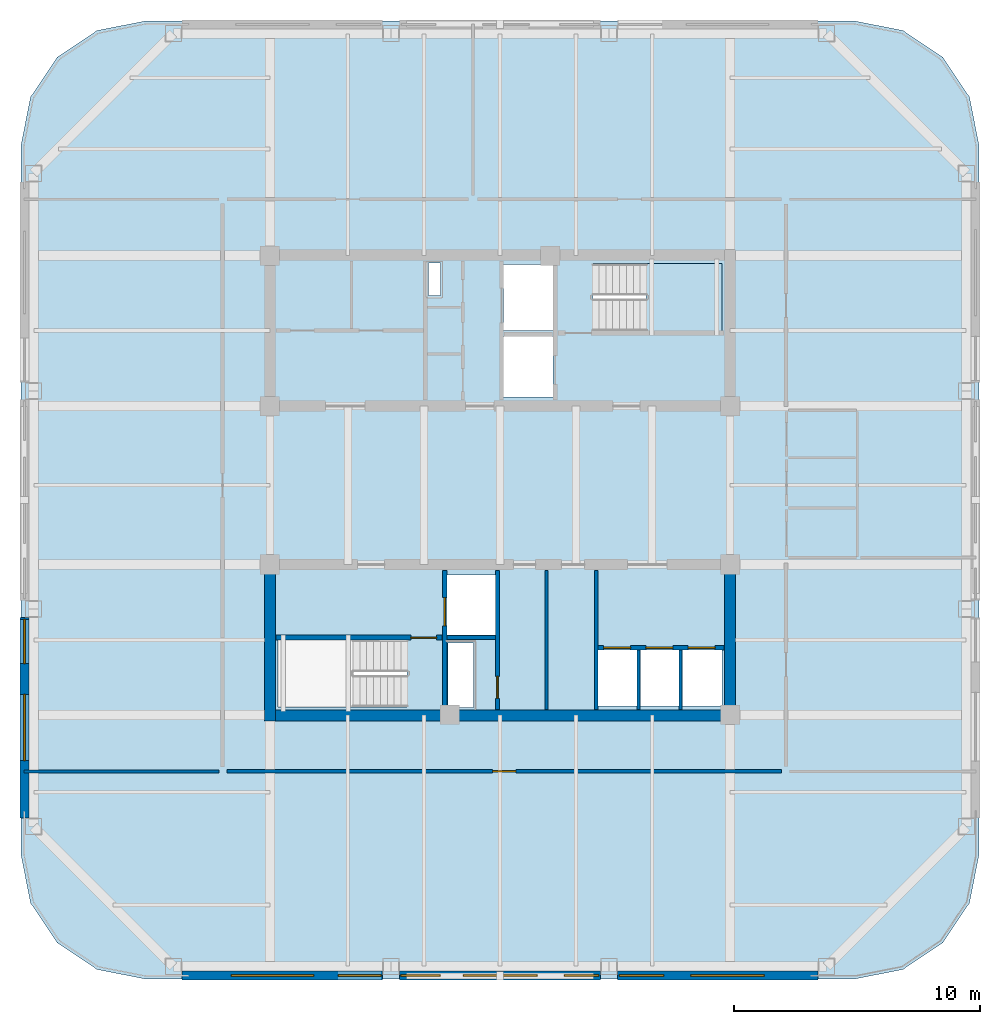
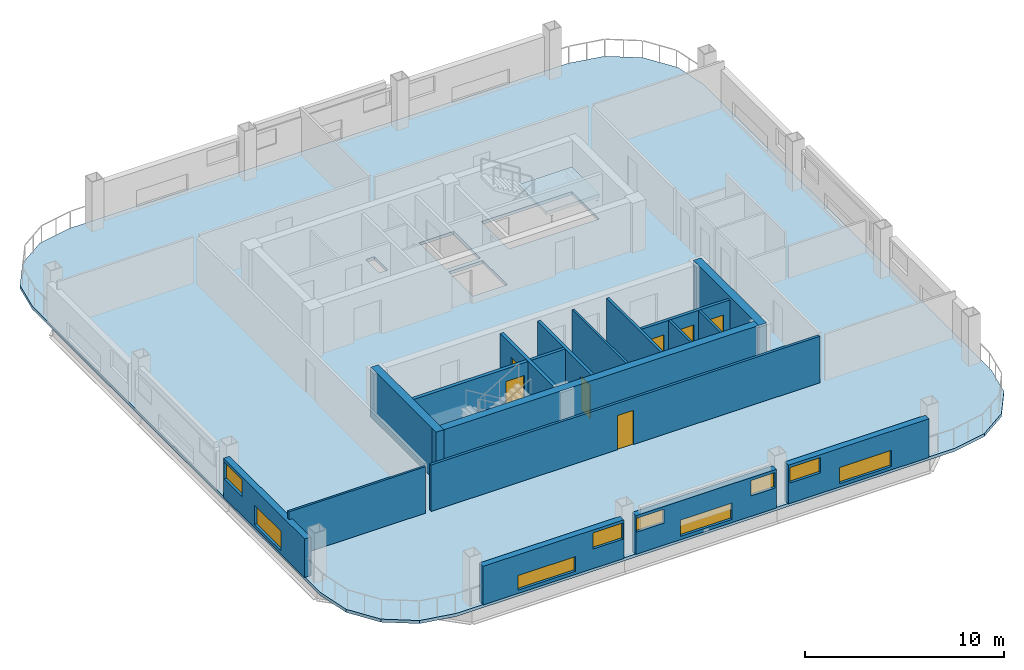
# One storey, part 2 of 8: 18 walls, 9 windows, 7 doors, 2 slabs, 16 openings, 1 element without a shape of its own.
"""IFC4 building model written with IfcOpenShell, lengths in metres."""

from ifc_helpers import new_model, si_unit, direction, frame, frame_2d, origin, place, context, subcontext, project, spatial, polyline, rectangle, outline, extrude, material, layer, layer_set, type_object, element, fill, aggregate, save


model = new_model("IFC4")

# Units and contexts
model_context = context("Model", 3, precision=1e-05, world=origin(), true_north=direction((0.0, 1.0)))
body_context = subcontext(model_context, "Body", "Model", "MODEL_VIEW")
ifc_project = project(units=[si_unit("LENGTHUNIT", "METRE"), si_unit("AREAUNIT", "SQUARE_METRE"), si_unit("VOLUMEUNIT", "CUBIC_METRE"), si_unit("PLANEANGLEUNIT", "RADIAN"), si_unit("MASSUNIT", "GRAM", prefix="KILO")], contexts=[model_context])

# Site, building, storey
site_placement = place(None, origin())
site = spatial("IfcSite", under=ifc_project, at=site_placement, CompositionType="ELEMENT")
building_placement = place(site_placement, origin())
building = spatial("IfcBuilding", under=site, at=building_placement, Name="Qhalaya Broadcast Tower", CompositionType="ELEMENT")
storey_placement = place(building_placement, frame((0.0, 0.0, 202.550048828125)))
storey = spatial("IfcBuildingStorey", under=building, at=storey_placement, Name="L59", CompositionType="ELEMENT", Elevation=202.550048828125)

# Stair, slab
ifc_material_1 = material(Name="Concrete C40/50", Category="concrete")
stair_type = type_object("IfcStairType", Name="Protected Dogleg Core Stair 3150", PredefinedType="TWO_STRAIGHT_RUN_STAIR", material=ifc_material_1)
stair_placement = place(storey_placement, origin())
stair = element("IfcStair", 1, at=stair_placement, inside=storey, type_object=stair_type, Name="L59 North Core Exit Stair ST-1", PredefinedType="TWO_STRAIGHT_RUN_STAIR")
ifc_layer_1 = layer(ifc_material_1, 0.199951171875, Name="Concrete C40/50")
ifc_layer_set_1 = layer_set([ifc_layer_1], Name="Concrete C40/50")
slab_type_1 = type_object("IfcSlabType", Name="Stair & Ramp Half-Landing Slab 200", PredefinedType="LANDING", material=ifc_layer_set_1)
slab_1_placement = place(storey_placement, frame((0.0, 0.0, 1.324951171875)))
slab_1 = element("IfcSlab", 2, at=slab_1_placement, type_object=slab_type_1, Name="ST-1 landing 1", PredefinedType="LANDING", context=body_context, shape_type="SweptSolid", body=[
    extrude(outline(polyline([(5.955078125, 6.8798828125), (9.050048828125, 6.8798828125), (9.050048828125, 9.639892578125), (5.955078125, 9.639892578125), (5.955078125, 6.8798828125)])), origin(), (0.0, 0.0, 1.0), 0.199951171875),
])
aggregate(stair, [slab_1])

# Slab
ifc_layer_2 = layer(ifc_material_1, 0.18994140625, Name="Concrete C40/50")
ifc_layer_set_2 = layer_set([ifc_layer_2], Name="Concrete C40/50")
slab_type_2 = type_object("IfcSlabType", Name="Upper Tower Composite Floor Slab 190", PredefinedType="FLOOR", material=ifc_layer_set_2)
slab_2_placement = place(storey_placement, frame((0.0, 0.0, -0.18994140625)))
element("IfcSlab", 3, at=slab_2_placement, inside=storey, type_object=slab_type_2, Name="L59 Main Structural Floor Slab", PredefinedType="FLOOR", context=body_context, shape_type="SweptSolid", body=[
    extrude(outline(polyline([(14.5, -19.5), (16.413330078125, -19.119384765625), (18.035400390625, -18.035400390625), (19.119384765625, -16.413330078125), (19.5, -14.5), (19.5, 14.5), (19.119384765625, 16.413330078125), (18.035400390625, 18.035400390625), (16.413330078125, 19.119384765625), (14.5, 19.5), (-14.5, 19.5), (-16.413330078125, 19.119384765625), (-18.035400390625, 18.035400390625), (-19.119384765625, 16.413330078125), (-19.5, 14.5), (-19.5, -14.5), (-19.119384765625, -16.413330078125), (-18.035400390625, -18.035400390625), (-16.413330078125, -19.119384765625), (-14.5, -19.5), (14.5, -19.5)]), holes=[polyline([(3.784912109375, 9.639892578125), (9.050048828125, 9.639892578125), (9.050048828125, 6.8798828125), (3.784912109375, 6.8798828125), (3.784912109375, 9.639892578125)]), polyline([(-3.784912109375, -8.43994140625), (-9.050048828125, -8.43994140625), (-9.050048828125, -5.679931640625), (-3.784912109375, -5.679931640625), (-3.784912109375, -8.43994140625)]), polyline([(0.14990234375, 6.64990234375), (2.14990234375, 6.64990234375), (2.14990234375, 4.199951171875), (0.14990234375, 4.199951171875), (0.14990234375, 6.64990234375)]), polyline([(0.14990234375, 9.60009765625), (2.14990234375, 9.60009765625), (2.14990234375, 6.89990234375), (0.14990234375, 6.89990234375), (0.14990234375, 9.60009765625)]), polyline([(-2.14990234375, -3.050048828125), (-0.14990234375, -3.050048828125), (-0.14990234375, -5.5), (-2.14990234375, -5.5), (-2.14990234375, -3.050048828125)]), polyline([(4.0, -6.10009765625), (5.60009765625, -6.10009765625), (5.60009765625, -8.39990234375), (4.0, -8.39990234375), (4.0, -6.10009765625)]), polyline([(5.719970703125, -6.10009765625), (7.320068359375, -6.10009765625), (7.320068359375, -8.39990234375), (5.719970703125, -8.39990234375), (5.719970703125, -6.10009765625)]), polyline([(7.43994140625, -6.10009765625), (9.0400390625, -6.10009765625), (9.0400390625, -8.39990234375), (7.43994140625, -8.39990234375), (7.43994140625, -6.10009765625)]), polyline([(-2.919921875, 9.659912109375), (-2.419921875, 9.659912109375), (-2.419921875, 8.320068359375), (-2.919921875, 8.320068359375), (-2.919921875, 9.659912109375)]), polyline([(-2.1201171875, -5.820068359375), (-1.080078125, -5.820068359375), (-1.080078125, -8.4599609375), (-2.1201171875, -8.4599609375), (-2.1201171875, -5.820068359375)])]), origin(), (0.0, 0.0, 1.0), 0.18994140625),
])

# Wall
ifc_material_2 = material(Name="Gypsum Acoustic Partition")
ifc_layer_3 = layer(ifc_material_2, 0.14990234375, Name="Gypsum Acoustic Partition")
ifc_layer_set_3 = layer_set([ifc_layer_3], Name="Gypsum Acoustic Partition")
wall_type_1 = type_object("IfcWallType", Name="Corridor & Tenancy Acoustic Partition 150", PredefinedType="PARTITIONING", material=ifc_layer_set_3)
wall_1_placement = place(storey_placement, frame((3.919921875, -8.530029296875, 0.0), z_axis=(0.0, 0.0, 1.0), x_axis=(0.0, 1.0, 0.0)))
element("IfcWall", 4, at=wall_1_placement, inside=storey, type_object=wall_type_1, Name="L59 Partition Wall SCW-HSEP", PredefinedType="PARTITIONING", context=body_context, shape_type="SweptSolid", body=[
    extrude(rectangle(XDim=5.659912109375, YDim=0.14990234375, at=frame_2d((2.830078125, 0.0))), origin(), (0.0, 0.0, 1.0), 2.85986328125),
])

# Wall, opening, door
wall_2_placement = place(storey_placement, frame((-11.1201171875, -11.050048828125, 0.0), z_axis=(0.0, 0.0, 1.0), x_axis=(1.0, 0.0, 0.0)))
wall_2 = element("IfcWall", 5, at=wall_2_placement, inside=storey, type_object=wall_type_1, Name="L59 Partition Wall W-COR-03", PredefinedType="PARTITIONING", context=body_context, shape_type="SweptSolid", body=[
    extrude(rectangle(XDim=22.590087890625, YDim=0.14990234375, at=frame_2d((11.294921875, 0.0))), origin(), (0.0, 0.0, 1.0), 2.85986328125),
])
opening_1_placement = place(wall_2_placement, frame((10.820068359375, 0.0, 0.0)))
opening_1 = element("IfcOpeningElement", 6, at=opening_1_placement, cuts=wall_2, Name="Opening D10", PredefinedType="OPENING", context=body_context, shape_type="SweptSolid", body=[
    extrude(rectangle(XDim=0.949951171875, YDim=2.10009765625, at=frame_2d((0.47509765625, 1.050048828125))), frame((0.0, 0.0869140625, 0.0), z_axis=(0.0, -1.0, 0.0), x_axis=(1.0, 0.0, 0.0)), (0.0, 0.0, 1.0), 0.173828125),
])
ifc_material_3 = material(Name="Timber Veneer Acoustic Door", Category="wood")
door_type_1 = type_object("IfcDoorType", Name="Cellular Office & Edit Booth Door D10", OperationType="NOTDEFINED", PredefinedType="DOOR", material=ifc_material_3)
door_1_placement = place(opening_1_placement, origin())
door_1 = element("IfcDoor", 7, at=door_1_placement, inside=storey, type_object=door_type_1, Name="L59 Door D-RM03", OperationType="SINGLE_SWING_LEFT", OverallHeight=2.10009765625, OverallWidth=0.949951171875, PredefinedType="DOOR", context=body_context, shape_type="SweptSolid", body=[
    extrude(rectangle(XDim=0.949951171875, YDim=2.10009765625, at=frame_2d((0.47509765625, 1.050048828125))), frame((0.0, 0.02490234375, 0.0), z_axis=(0.0, -1.0, 0.0), x_axis=(1.0, 0.0, 0.0)), (0.0, 0.0, 1.0), 0.050048828125),
])
fill(opening_1, door_1)

# Wall, openings, windows
ifc_material_4 = material(Name="Precast Concrete C40/50", Category="concrete")
ifc_layer_4 = layer(ifc_material_4, 0.360107421875, Name="Precast Concrete C40/50")
ifc_layer_set_4 = layer_set([ifc_layer_4], Name="Precast Concrete C40/50")
wall_type_2 = type_object("IfcWallType", Name="Insulated Precast Terracotta Exterior Wall 360", PredefinedType="SOLIDWALL", material=ifc_layer_set_4)
wall_3_placement = place(storey_placement, frame((12.9619140625, -19.360107421875, 0.0), z_axis=(0.0, 0.0, 1.0), x_axis=(-1.0, 0.0, 0.0)))
wall_3 = element("IfcWall", 8, at=wall_3_placement, inside=storey, type_object=wall_type_2, Name="L59 Exoskeleton Diagrid Infill Wall S1", PredefinedType="SOLIDWALL", context=body_context, shape_type="SweptSolid", body=[
    extrude(rectangle(XDim=8.1787109375, YDim=0.360107421875, at=frame_2d((4.08935546875, 0.0))), origin(), (0.0, 0.0, 1.0), 2.3740234375),
])
opening_2_placement = place(wall_3_placement, frame((2.199951171875, 0.0, 0.199951171875)))
opening_2 = element("IfcOpeningElement", 9, at=opening_2_placement, cuts=wall_3, Name="Opening W13", PredefinedType="OPENING", context=body_context, shape_type="SweptSolid", body=[
    extrude(rectangle(XDim=3.0, YDim=1.0, at=frame_2d((1.5, 0.5))), frame((0.0, 0.192138671875, 0.0), z_axis=(0.0, -1.0, 0.0), x_axis=(1.0, 0.0, 0.0)), (0.0, 0.0, 1.0), 0.384033203125),
])
opening_3_placement = place(wall_3_placement, frame((6.300048828125, 0.0, 1.25)))
opening_3 = element("IfcOpeningElement", 10, at=opening_3_placement, cuts=wall_3, Name="Opening W13", PredefinedType="OPENING", context=body_context, shape_type="SweptSolid", body=[
    extrude(rectangle(XDim=1.800048828125, YDim=0.949951171875, at=frame_2d((0.89990234375, 0.47509765625))), frame((0.0, 0.192138671875, 0.0), z_axis=(0.0, -1.0, 0.0), x_axis=(1.0, 0.0, 0.0)), (0.0, 0.0, 1.0), 0.384033203125),
])
ifc_material_5 = material(Name="Solar-Control Low-E Triple Glazing", Category="glass")
window_type = type_object("IfcWindowType", Name="Upper-Block Diagrid Infill Window W13", PartitioningType="SINGLE_PANEL", PredefinedType="WINDOW", material=ifc_material_5)
window_1_placement = place(opening_2_placement, origin())
window_1 = element("IfcWindow", 11, at=window_1_placement, inside=storey, type_object=window_type, Name="L59 Diagrid Infill Window W13-S1", OverallHeight=1.0, OverallWidth=3.0, PartitioningType="SINGLE_PANEL", PredefinedType="WINDOW", context=body_context, shape_type="SweptSolid", body=[
    extrude(rectangle(XDim=3.0, YDim=1.0, at=frame_2d((1.5, 0.5))), frame((0.0, 0.030029296875, 0.0), z_axis=(0.0, -1.0, 0.0), x_axis=(1.0, 0.0, 0.0)), (0.0, 0.0, 1.0), 0.06005859375),
])
fill(opening_2, window_1)
window_2_placement = place(opening_3_placement, origin())
window_2 = element("IfcWindow", 12, at=window_2_placement, inside=storey, type_object=window_type, Name="L59 Diagrid Infill Window W13-S2", OverallHeight=0.949951171875, OverallWidth=1.800048828125, PartitioningType="SINGLE_PANEL", PredefinedType="WINDOW", context=body_context, shape_type="SweptSolid", body=[
    extrude(rectangle(XDim=1.800048828125, YDim=0.949951171875, at=frame_2d((0.89990234375, 0.47509765625))), frame((0.0, 0.030029296875, 0.0), z_axis=(0.0, -1.0, 0.0), x_axis=(1.0, 0.0, 0.0)), (0.0, 0.0, 1.0), 0.06005859375),
])
fill(opening_3, window_2)

wall_4_placement = place(storey_placement, frame((4.083251953125, -19.360107421875, 0.0), z_axis=(0.0, 0.0, 1.0), x_axis=(-1.0, 0.0, 0.0)))
wall_4 = element("IfcWall", 13, at=wall_4_placement, inside=storey, type_object=wall_type_2, Name="L59 Exoskeleton Diagrid Infill Wall S2", PredefinedType="SOLIDWALL", context=body_context, shape_type="SweptSolid", body=[
    extrude(rectangle(XDim=8.16650390625, YDim=0.360107421875, at=frame_2d((4.083251953125, 0.0))), origin(), (0.0, 0.0, 1.0), 2.3740234375),
])
opening_4_placement = place(wall_4_placement, frame((0.071044921875, 0.0, 1.25)))
opening_4 = element("IfcOpeningElement", 14, at=opening_4_placement, cuts=wall_4, Name="Opening W13", PredefinedType="OPENING", context=body_context, shape_type="SweptSolid", body=[
    extrude(rectangle(XDim=1.39990234375, YDim=0.949951171875, at=frame_2d((0.699951171875, 0.47509765625))), frame((0.0, 0.192138671875, 0.0), z_axis=(0.0, -1.0, 0.0), x_axis=(1.0, 0.0, 0.0)), (0.0, 0.0, 1.0), 0.384033203125),
])
opening_5_placement = place(wall_4_placement, frame((2.571044921875, 0.0, 0.199951171875)))
opening_5 = element("IfcOpeningElement", 15, at=opening_5_placement, cuts=wall_4, Name="Opening W13", PredefinedType="OPENING", context=body_context, shape_type="SweptSolid", body=[
    extrude(rectangle(XDim=3.0, YDim=1.0, at=frame_2d((1.5, 0.5))), frame((0.0, 0.192138671875, 0.0), z_axis=(0.0, -1.0, 0.0), x_axis=(1.0, 0.0, 0.0)), (0.0, 0.0, 1.0), 0.384033203125),
])
opening_6_placement = place(wall_4_placement, frame((6.52099609375, 0.0, 1.35009765625)))
opening_6 = element("IfcOpeningElement", 16, at=opening_6_placement, cuts=wall_4, Name="Opening W13", PredefinedType="OPENING", context=body_context, shape_type="SweptSolid", body=[
    extrude(rectangle(XDim=1.60009765625, YDim=0.85009765625, at=frame_2d((0.800048828125, 0.425048828125))), frame((0.0, 0.192138671875, 0.0), z_axis=(0.0, -1.0, 0.0), x_axis=(1.0, 0.0, 0.0)), (0.0, 0.0, 1.0), 0.384033203125),
])
window_3_placement = place(opening_4_placement, origin())
window_3 = element("IfcWindow", 17, at=window_3_placement, inside=storey, type_object=window_type, Name="L59 Diagrid Infill Window W13-S3", OverallHeight=0.949951171875, OverallWidth=1.39990234375, PartitioningType="SINGLE_PANEL", PredefinedType="WINDOW", context=body_context, shape_type="SweptSolid", body=[
    extrude(rectangle(XDim=1.39990234375, YDim=0.949951171875, at=frame_2d((0.699951171875, 0.47509765625))), frame((0.0, 0.030029296875, 0.0), z_axis=(0.0, -1.0, 0.0), x_axis=(1.0, 0.0, 0.0)), (0.0, 0.0, 1.0), 0.06005859375),
])
fill(opening_4, window_3)
window_4_placement = place(opening_5_placement, origin())
window_4 = element("IfcWindow", 18, at=window_4_placement, inside=storey, type_object=window_type, Name="L59 Diagrid Infill Window W13-S4", OverallHeight=1.0, OverallWidth=3.0, PartitioningType="SINGLE_PANEL", PredefinedType="WINDOW", context=body_context, shape_type="SweptSolid", body=[
    extrude(rectangle(XDim=3.0, YDim=1.0, at=frame_2d((1.5, 0.5))), frame((0.0, 0.030029296875, 0.0), z_axis=(0.0, -1.0, 0.0), x_axis=(1.0, 0.0, 0.0)), (0.0, 0.0, 1.0), 0.06005859375),
])
fill(opening_5, window_4)
window_5_placement = place(opening_6_placement, origin())
window_5 = element("IfcWindow", 19, at=window_5_placement, inside=storey, type_object=window_type, Name="L59 Diagrid Infill Window W13-S5", OverallHeight=0.85009765625, OverallWidth=1.60009765625, PartitioningType="SINGLE_PANEL", PredefinedType="WINDOW", context=body_context, shape_type="SweptSolid", body=[
    extrude(rectangle(XDim=1.60009765625, YDim=0.85009765625, at=frame_2d((0.800048828125, 0.425048828125))), frame((0.0, 0.030029296875, 0.0), z_axis=(0.0, -1.0, 0.0), x_axis=(1.0, 0.0, 0.0)), (0.0, 0.0, 1.0), 0.06005859375),
])
fill(opening_6, window_5)

wall_5_placement = place(storey_placement, frame((-4.783203125, -19.360107421875, 0.0), z_axis=(0.0, 0.0, 1.0), x_axis=(-1.0, 0.0, 0.0)))
wall_5 = element("IfcWall", 20, at=wall_5_placement, inside=storey, type_object=wall_type_2, Name="L59 Exoskeleton Diagrid Infill Wall S3", PredefinedType="SOLIDWALL", context=body_context, shape_type="SweptSolid", body=[
    extrude(rectangle(XDim=8.1787109375, YDim=0.360107421875, at=frame_2d((4.08935546875, 0.0))), origin(), (0.0, 0.0, 1.0), 2.3740234375),
])
opening_7_placement = place(wall_5_placement, frame((0.054931640625, 0.0, 1.199951171875)))
opening_7 = element("IfcOpeningElement", 21, at=opening_7_placement, cuts=wall_5, Name="Opening W13", PredefinedType="OPENING", context=body_context, shape_type="SweptSolid", body=[
    extrude(rectangle(XDim=1.75, YDim=1.0, at=frame_2d((0.875, 0.5))), frame((0.0, 0.192138671875, 0.0), z_axis=(0.0, -1.0, 0.0), x_axis=(1.0, 0.0, 0.0)), (0.0, 0.0, 1.0), 0.384033203125),
])
opening_8_placement = place(wall_5_placement, frame((2.804931640625, 0.0, 0.199951171875)))
opening_8 = element("IfcOpeningElement", 22, at=opening_8_placement, cuts=wall_5, Name="Opening W13", PredefinedType="OPENING", context=body_context, shape_type="SweptSolid", body=[
    extrude(rectangle(XDim=3.35009765625, YDim=0.89990234375, at=frame_2d((1.675048828125, 0.449951171875))), frame((0.0, 0.192138671875, 0.0), z_axis=(0.0, -1.0, 0.0), x_axis=(1.0, 0.0, 0.0)), (0.0, 0.0, 1.0), 0.384033203125),
])
window_6_placement = place(opening_7_placement, origin())
window_6 = element("IfcWindow", 23, at=window_6_placement, inside=storey, type_object=window_type, Name="L59 Diagrid Infill Window W13-S6", OverallHeight=1.0, OverallWidth=1.75, PartitioningType="SINGLE_PANEL", PredefinedType="WINDOW", context=body_context, shape_type="SweptSolid", body=[
    extrude(rectangle(XDim=1.75, YDim=1.0, at=frame_2d((0.875, 0.5))), frame((0.0, 0.030029296875, 0.0), z_axis=(0.0, -1.0, 0.0), x_axis=(1.0, 0.0, 0.0)), (0.0, 0.0, 1.0), 0.06005859375),
])
fill(opening_7, window_6)
window_7_placement = place(opening_8_placement, origin())
window_7 = element("IfcWindow", 24, at=window_7_placement, inside=storey, type_object=window_type, Name="L59 Diagrid Infill Window W13-S7", OverallHeight=0.89990234375, OverallWidth=3.35009765625, PartitioningType="SINGLE_PANEL", PredefinedType="WINDOW", context=body_context, shape_type="SweptSolid", body=[
    extrude(rectangle(XDim=3.35009765625, YDim=0.89990234375, at=frame_2d((1.675048828125, 0.449951171875))), frame((0.0, 0.030029296875, 0.0), z_axis=(0.0, -1.0, 0.0), x_axis=(1.0, 0.0, 0.0)), (0.0, 0.0, 1.0), 0.06005859375),
])
fill(opening_8, window_7)

wall_6_placement = place(storey_placement, frame((-19.360107421875, -12.9619140625, 0.0), z_axis=(0.0, 0.0, 1.0), x_axis=(0.0, 1.0, 0.0)))
wall_6 = element("IfcWall", 25, at=wall_6_placement, inside=storey, type_object=wall_type_2, Name="L59 Exoskeleton Diagrid Infill Wall W1", PredefinedType="SOLIDWALL", context=body_context, shape_type="SweptSolid", body=[
    extrude(rectangle(XDim=8.1787109375, YDim=0.360107421875, at=frame_2d((4.08935546875, 0.0))), origin(), (0.0, 0.0, 1.0), 2.3740234375),
])
opening_9_placement = place(wall_6_placement, frame((2.35009765625, 0.0, 0.199951171875)))
opening_9 = element("IfcOpeningElement", 26, at=opening_9_placement, cuts=wall_6, Name="Opening W13", PredefinedType="OPENING", context=body_context, shape_type="SweptSolid", body=[
    extrude(rectangle(XDim=2.699951171875, YDim=1.199951171875, at=frame_2d((1.35009765625, 0.60009765625))), frame((0.0, 0.192138671875, 0.0), z_axis=(0.0, -1.0, 0.0), x_axis=(1.0, 0.0, 0.0)), (0.0, 0.0, 1.0), 0.384033203125),
])
opening_10_placement = place(wall_6_placement, frame((6.300048828125, 0.0, 1.14990234375)))
opening_10 = element("IfcOpeningElement", 27, at=opening_10_placement, cuts=wall_6, Name="Opening W13", PredefinedType="OPENING", context=body_context, shape_type="SweptSolid", body=[
    extrude(rectangle(XDim=1.800048828125, YDim=1.050048828125, at=frame_2d((0.89990234375, 0.52490234375))), frame((0.0, 0.192138671875, 0.0), z_axis=(0.0, -1.0, 0.0), x_axis=(1.0, 0.0, 0.0)), (0.0, 0.0, 1.0), 0.384033203125),
])
window_8_placement = place(opening_9_placement, origin())
window_8 = element("IfcWindow", 28, at=window_8_placement, inside=storey, type_object=window_type, Name="L59 Diagrid Infill Window W13-W1", OverallHeight=1.199951171875, OverallWidth=2.699951171875, PartitioningType="SINGLE_PANEL", PredefinedType="WINDOW", context=body_context, shape_type="SweptSolid", body=[
    extrude(rectangle(XDim=2.699951171875, YDim=1.199951171875, at=frame_2d((1.35009765625, 0.60009765625))), frame((0.0, 0.030029296875, 0.0), z_axis=(0.0, -1.0, 0.0), x_axis=(1.0, 0.0, 0.0)), (0.0, 0.0, 1.0), 0.06005859375),
])
fill(opening_9, window_8)
window_9_placement = place(opening_10_placement, origin())
window_9 = element("IfcWindow", 29, at=window_9_placement, inside=storey, type_object=window_type, Name="L59 Diagrid Infill Window W13-W2", OverallHeight=1.050048828125, OverallWidth=1.800048828125, PartitioningType="SINGLE_PANEL", PredefinedType="WINDOW", context=body_context, shape_type="SweptSolid", body=[
    extrude(rectangle(XDim=1.800048828125, YDim=1.050048828125, at=frame_2d((0.89990234375, 0.52490234375))), frame((0.0, 0.030029296875, 0.0), z_axis=(0.0, -1.0, 0.0), x_axis=(1.0, 0.0, 0.0)), (0.0, 0.0, 1.0), 0.06005859375),
])
fill(opening_10, window_9)

# Wall, opening, door
ifc_material_6 = material(Name="Concrete C50/60", Category="concrete")
ifc_layer_5 = layer(ifc_material_6, 0.199951171875, Name="Concrete C50/60")
ifc_layer_set_5 = layer_set([ifc_layer_5], Name="Concrete C50/60")
wall_type_3 = type_object("IfcWallType", Name="Load-Bearing Stair Shaft Wall 200", PredefinedType="SHEAR", material=ifc_layer_set_5)
wall_7_placement = place(storey_placement, frame((-9.1298828125, -5.60498046875, 0.0), z_axis=(0.0, 0.0, 1.0), x_axis=(1.0, 0.0, 0.0)))
wall_7 = element("IfcWall", 30, at=wall_7_placement, inside=storey, type_object=wall_type_3, Name="L59 Stair Core Shear Wall SCW-ST2", PredefinedType="SHEAR", context=body_context, shape_type="SweptSolid", body=[
    extrude(rectangle(XDim=6.769775390625, YDim=0.199951171875, at=frame_2d((3.384765625, 0.0))), origin(), (0.0, 0.0, 1.0), 2.85986328125),
])
opening_11_placement = place(wall_7_placement, frame((5.5, 0.0, 0.0)))
opening_11 = element("IfcOpeningElement", 31, at=opening_11_placement, cuts=wall_7, Name="Opening D03", PredefinedType="OPENING", context=body_context, shape_type="SweptSolid", body=[
    extrude(rectangle(XDim=1.050048828125, YDim=2.080078125, at=frame_2d((0.52490234375, 1.0400390625))), frame((0.0, 0.112060546875, 0.0), z_axis=(0.0, -1.0, 0.0), x_axis=(1.0, 0.0, 0.0)), (0.0, 0.0, 1.0), 0.223876953125),
])
ifc_material_7 = material(Name="Fire-Rated Steel Door", Category="steel")
door_type_2 = type_object("IfcDoorType", Name="Core Stair Protected Fire Door D03", OperationType="NOTDEFINED", PredefinedType="DOOR", material=ifc_material_7)
door_2_placement = place(opening_11_placement, origin())
door_2 = element("IfcDoor", 32, at=door_2_placement, inside=storey, type_object=door_type_2, Name="L59 Door D-SST2", OperationType="SINGLE_SWING_RIGHT", OverallHeight=2.080078125, OverallWidth=1.050048828125, PredefinedType="DOOR", context=body_context, shape_type="SweptSolid", body=[
    extrude(rectangle(XDim=1.050048828125, YDim=2.080078125, at=frame_2d((0.52490234375, 1.0400390625))), frame((0.0, 0.02490234375, 0.0), z_axis=(0.0, -1.0, 0.0), x_axis=(1.0, 0.0, 0.0)), (0.0, 0.0, 1.0), 0.050048828125),
])
fill(opening_11, door_2)

wall_8_placement = place(storey_placement, frame((-2.25, -8.530029296875, 0.0), z_axis=(0.0, 0.0, 1.0), x_axis=(0.0, 1.0, 0.0)))
wall_8 = element("IfcWall", 33, at=wall_8_placement, inside=storey, type_object=wall_type_3, Name="L59 Stair Core Shear Wall SCW-FF", PredefinedType="SHEAR", context=body_context, shape_type="SweptSolid", body=[
    extrude(rectangle(XDim=5.659912109375, YDim=0.199951171875, at=frame_2d((2.830078125, 0.0))), origin(), (0.0, 0.0, 1.0), 2.85986328125),
])
opening_12_placement = place(wall_8_placement, frame((3.39990234375, 0.0, 0.0)))
opening_12 = element("IfcOpeningElement", 34, at=opening_12_placement, cuts=wall_8, Name="Opening LD2", PredefinedType="OPENING", context=body_context, shape_type="SweptSolid", body=[
    extrude(rectangle(XDim=1.14990234375, YDim=2.080078125, at=frame_2d((0.574951171875, 1.0400390625))), frame((0.0, 0.112060546875, 0.0), z_axis=(0.0, -1.0, 0.0), x_axis=(1.0, 0.0, 0.0)), (0.0, 0.0, 1.0), 0.223876953125),
])
ifc_material_8 = material(Name="Brushed Stainless Steel Lift Door", Category="steel")
door_type_3 = type_object("IfcDoorType", Name="Firefighting Lift Sliding Landing Door LD2", OperationType="DOUBLE_DOOR_SLIDING", PredefinedType="DOOR", material=ifc_material_8)
door_3_placement = place(opening_12_placement, origin())
door_3 = element("IfcDoor", 35, at=door_3_placement, inside=storey, type_object=door_type_3, Name="L59 Door LD-FF2", OperationType="DOUBLE_DOOR_SLIDING", OverallHeight=2.080078125, OverallWidth=1.14990234375, PredefinedType="DOOR", context=body_context, shape_type="SweptSolid", body=[
    extrude(rectangle(XDim=1.14990234375, YDim=2.080078125, at=frame_2d((0.574951171875, 1.0400390625))), frame((0.0, 0.02490234375, 0.0), z_axis=(0.0, -1.0, 0.0), x_axis=(1.0, 0.0, 0.0)), (0.0, 0.0, 1.0), 0.050048828125),
])
fill(opening_12, door_3)

# Walls
ifc_layer_6 = layer(ifc_material_2, 0.1201171875, Name="Gypsum Acoustic Partition")
ifc_layer_set_6 = layer_set([ifc_layer_6], Name="Gypsum Acoustic Partition")
wall_type_4 = type_object("IfcWallType", Name="Office, Booth & Sanitary Partition 120", PredefinedType="PARTITIONING", material=ifc_layer_set_6)
wall_9_placement = place(storey_placement, frame((1.89990234375, -8.530029296875, 0.0), z_axis=(0.0, 0.0, 1.0), x_axis=(0.0, 1.0, 0.0)))
element("IfcWall", 36, at=wall_9_placement, inside=storey, type_object=wall_type_4, Name="L59 Partition Wall SCW-RKB", PredefinedType="PARTITIONING", context=body_context, shape_type="SweptSolid", body=[
    extrude(rectangle(XDim=5.659912109375, YDim=0.1201171875, at=frame_2d((2.830078125, 0.0))), origin(), (0.0, 0.0, 1.0), 2.85986328125),
])
for number, where, z_axis, x_axis, name in (
    (37, (5.639892578125, -8.530029296875, 0.0), (0.0, 0.0, 1.0), (0.0, 1.0, 0.0), "L59 Partition Wall SCW-HD6"),
    (38, (7.360107421875, -8.530029296875, 0.0), (0.0, 0.0, 1.0), (0.0, 1.0, 0.0), "L59 Partition Wall SCW-HD7"),
):
    element("IfcWall", number, at=place(storey_placement, frame(where, z_axis=z_axis, x_axis=x_axis)), inside=storey, type_object=wall_type_4, Name=name, PredefinedType="PARTITIONING", context=body_context, shape_type="SweptSolid", body=[
        extrude(rectangle(XDim=2.429931640625, YDim=0.1201171875, at=frame_2d((1.21484375, 0.0))), origin(), (0.0, 0.0, 1.0), 2.85986328125),
    ])
wall_10_placement = place(storey_placement, frame((-19.3798828125, -11.050048828125, 0.0), z_axis=(0.0, 0.0, 1.0), x_axis=(1.0, 0.0, 0.0)))
element("IfcWall", 39, at=wall_10_placement, inside=storey, type_object=wall_type_4, Name="L59 Partition Wall W-BNDW2", PredefinedType="PARTITIONING", context=body_context, shape_type="SweptSolid", body=[
    extrude(rectangle(XDim=7.93994140625, YDim=0.1201171875, at=frame_2d((3.969970703125, 0.0))), origin(), (0.0, 0.0, 1.0), 2.85986328125),
])

# Wall, opening, door
ifc_layer_7 = layer(ifc_material_2, 0.175048828125, Name="Gypsum Acoustic Partition")
ifc_layer_set_7 = layer_set([ifc_layer_7], Name="Gypsum Acoustic Partition")
wall_type_5 = type_object("IfcWallType", Name="Shaft & Riser Fire Partition 175", PredefinedType="PARTITIONING", material=ifc_layer_set_7)
wall_11_placement = place(storey_placement, frame((-0.10009765625, -8.530029296875, 0.0), z_axis=(0.0, 0.0, 1.0), x_axis=(0.0, 1.0, 0.0)))
wall_11 = element("IfcWall", 40, at=wall_11_placement, inside=storey, type_object=wall_type_5, Name="L59 Partition Wall SCW-FFE", PredefinedType="PARTITIONING", context=body_context, shape_type="SweptSolid", body=[
    extrude(rectangle(XDim=5.659912109375, YDim=0.175048828125, at=frame_2d((2.830078125, 0.0))), origin(), (0.0, 0.0, 1.0), 2.85986328125),
])
opening_13_placement = place(wall_11_placement, frame((0.449951171875, 0.0, 0.0)))
opening_13 = element("IfcOpeningElement", 41, at=opening_13_placement, cuts=wall_11, Name="Opening D06", PredefinedType="OPENING", context=body_context, shape_type="SweptSolid", body=[
    extrude(rectangle(XDim=0.89990234375, YDim=2.050048828125, at=frame_2d((0.449951171875, 1.02490234375))), frame((0.0, 0.099609375, 0.0), z_axis=(0.0, -1.0, 0.0), x_axis=(1.0, 0.0, 0.0)), (0.0, 0.0, 1.0), 0.198974609375),
])
door_type_4 = type_object("IfcDoorType", Name="Riser & Electrical Shaft Access Door D06", OperationType="NOTDEFINED", PredefinedType="DOOR", material=ifc_material_7)
door_4_placement = place(opening_13_placement, origin())
door_4 = element("IfcDoor", 42, at=door_4_placement, inside=storey, type_object=door_type_4, Name="L59 Riser Shaft Access Door D-SRSR", OperationType="SINGLE_SWING_LEFT", OverallHeight=2.050048828125, OverallWidth=0.89990234375, PredefinedType="DOOR", context=body_context, shape_type="SweptSolid", body=[
    extrude(rectangle(XDim=0.89990234375, YDim=2.050048828125, at=frame_2d((0.449951171875, 1.02490234375))), frame((0.0, 0.02490234375, 0.0), z_axis=(0.0, -1.0, 0.0), x_axis=(1.0, 0.0, 0.0)), (0.0, 0.0, 1.0), 0.050048828125),
])
fill(opening_13, door_4)

# Wall
wall_12_placement = place(storey_placement, frame((-2.14990234375, -5.60009765625, 0.0), z_axis=(0.0, 0.0, 1.0), x_axis=(1.0, 0.0, 0.0)))
element("IfcWall", 43, at=wall_12_placement, inside=storey, type_object=wall_type_5, Name="L59 Partition Wall SCW-FFM", PredefinedType="PARTITIONING", context=body_context, shape_type="SweptSolid", body=[
    extrude(rectangle(XDim=1.969970703125, YDim=0.175048828125, at=frame_2d((0.98486328125, 0.0))), origin(), (0.0, 0.0, 1.0), 2.85986328125),
])

# Wall, openings, doors
wall_13_placement = place(storey_placement, frame((4.0, -6.02001953125, 0.0), z_axis=(0.0, 0.0, 1.0), x_axis=(1.0, 0.0, 0.0)))
wall_13 = element("IfcWall", 44, at=wall_13_placement, inside=storey, type_object=wall_type_5, Name="L59 Partition Wall SCW-SLB", PredefinedType="PARTITIONING", context=body_context, shape_type="SweptSolid", body=[
    extrude(rectangle(XDim=5.1298828125, YDim=0.175048828125, at=frame_2d((2.56494140625, 0.0))), origin(), (0.0, 0.0, 1.0), 2.85986328125),
])
opening_14_placement = place(wall_13_placement, frame((0.219970703125, 0.0, 0.0)))
opening_14 = element("IfcOpeningElement", 45, at=opening_14_placement, cuts=wall_13, Name="Opening LD1", PredefinedType="OPENING", context=body_context, shape_type="SweptSolid", body=[
    extrude(rectangle(XDim=1.10009765625, YDim=2.06005859375, at=frame_2d((0.550048828125, 1.030029296875))), frame((0.0, 0.099609375, 0.0), z_axis=(0.0, -1.0, 0.0), x_axis=(1.0, 0.0, 0.0)), (0.0, 0.0, 1.0), 0.198974609375),
])
opening_15_placement = place(wall_13_placement, frame((1.93994140625, 0.0, 0.0)))
opening_15 = element("IfcOpeningElement", 46, at=opening_15_placement, cuts=wall_13, Name="Opening LD1", PredefinedType="OPENING", context=body_context, shape_type="SweptSolid", body=[
    extrude(rectangle(XDim=1.10009765625, YDim=2.06005859375, at=frame_2d((0.550048828125, 1.030029296875))), frame((0.0, 0.099609375, 0.0), z_axis=(0.0, -1.0, 0.0), x_axis=(1.0, 0.0, 0.0)), (0.0, 0.0, 1.0), 0.198974609375),
])
opening_16_placement = place(wall_13_placement, frame((3.659912109375, 0.0, 0.0)))
opening_16 = element("IfcOpeningElement", 47, at=opening_16_placement, cuts=wall_13, Name="Opening LD1", PredefinedType="OPENING", context=body_context, shape_type="SweptSolid", body=[
    extrude(rectangle(XDim=1.10009765625, YDim=2.06005859375, at=frame_2d((0.550048828125, 1.030029296875))), frame((0.0, 0.099609375, 0.0), z_axis=(0.0, -1.0, 0.0), x_axis=(1.0, 0.0, 0.0)), (0.0, 0.0, 1.0), 0.198974609375),
])
door_type_5 = type_object("IfcDoorType", Name="Passenger Lift Sliding Landing Door LD1", OperationType="DOUBLE_DOOR_SLIDING", PredefinedType="DOOR", material=ifc_material_8)
door_5_placement = place(opening_14_placement, origin())
door_5 = element("IfcDoor", 48, at=door_5_placement, inside=storey, type_object=door_type_5, Name="L59 Door LD-P6", OperationType="DOUBLE_DOOR_SLIDING", OverallHeight=2.06005859375, OverallWidth=1.10009765625, PredefinedType="DOOR", context=body_context, shape_type="SweptSolid", body=[
    extrude(rectangle(XDim=1.10009765625, YDim=2.06005859375, at=frame_2d((0.550048828125, 1.030029296875))), frame((0.0, 0.02490234375, 0.0), z_axis=(0.0, -1.0, 0.0), x_axis=(1.0, 0.0, 0.0)), (0.0, 0.0, 1.0), 0.050048828125),
])
fill(opening_14, door_5)
door_6_placement = place(opening_15_placement, origin())
door_6 = element("IfcDoor", 49, at=door_6_placement, inside=storey, type_object=door_type_5, Name="L59 Door LD-P7", OperationType="DOUBLE_DOOR_SLIDING", OverallHeight=2.06005859375, OverallWidth=1.10009765625, PredefinedType="DOOR", context=body_context, shape_type="SweptSolid", body=[
    extrude(rectangle(XDim=1.10009765625, YDim=2.06005859375, at=frame_2d((0.550048828125, 1.030029296875))), frame((0.0, 0.02490234375, 0.0), z_axis=(0.0, -1.0, 0.0), x_axis=(1.0, 0.0, 0.0)), (0.0, 0.0, 1.0), 0.050048828125),
])
fill(opening_15, door_6)
door_7_placement = place(opening_16_placement, origin())
door_7 = element("IfcDoor", 50, at=door_7_placement, inside=storey, type_object=door_type_5, Name="L59 Door LD-P8", OperationType="DOUBLE_DOOR_SLIDING", OverallHeight=2.06005859375, OverallWidth=1.10009765625, PredefinedType="DOOR", context=body_context, shape_type="SweptSolid", body=[
    extrude(rectangle(XDim=1.10009765625, YDim=2.06005859375, at=frame_2d((0.550048828125, 1.030029296875))), frame((0.0, 0.02490234375, 0.0), z_axis=(0.0, -1.0, 0.0), x_axis=(1.0, 0.0, 0.0)), (0.0, 0.0, 1.0), 0.050048828125),
])
fill(opening_16, door_7)

# Walls
ifc_layer_8 = layer(ifc_material_6, 0.449951171875, Name="Concrete C50/60")
ifc_layer_set_8 = layer_set([ifc_layer_8], Name="Concrete C50/60")
wall_type_6 = type_object("IfcWallType", Name="Upper Split-Core Shear Wall 450", PredefinedType="SHEAR", material=ifc_layer_set_8)
wall_14_placement = place(storey_placement, frame((-9.60009765625, -8.77490234375, 0.0), z_axis=(0.0, 0.0, 1.0), x_axis=(1.0, 0.0, 0.0)))
element("IfcWall", 51, at=wall_14_placement, inside=storey, type_object=wall_type_6, Name="L59 Split-Core Shear Wall CW-SS", PredefinedType="SHEAR", context=body_context, shape_type="SweptSolid", body=[
    extrude(rectangle(XDim=19.2001953125, YDim=0.449951171875, at=frame_2d((9.60009765625, 0.0))), origin(), (0.0, 0.0, 1.0), 3.050048828125),
])
for number, where, z_axis, x_axis, name in (
    (52, (-9.375, -9.0, 0.0), (0.0, 0.0, 1.0), (0.0, 1.0, 0.0), "L59 Split-Core Shear Wall CW-SW"),
    (53, (9.375, -9.0, 0.0), (0.0, 0.0, 1.0), (0.0, 1.0, 0.0), "L59 Split-Core Shear Wall CW-SE"),
):
    element("IfcWall", number, at=place(storey_placement, frame(where, z_axis=z_axis, x_axis=x_axis)), inside=storey, type_object=wall_type_6, Name=name, PredefinedType="SHEAR", context=body_context, shape_type="SweptSolid", body=[
        extrude(rectangle(XDim=6.60009765625, YDim=0.449951171875, at=frame_2d((3.300048828125, 0.0))), origin(), (0.0, 0.0, 1.0), 3.050048828125),
    ])

save(model, "model.ifc")
